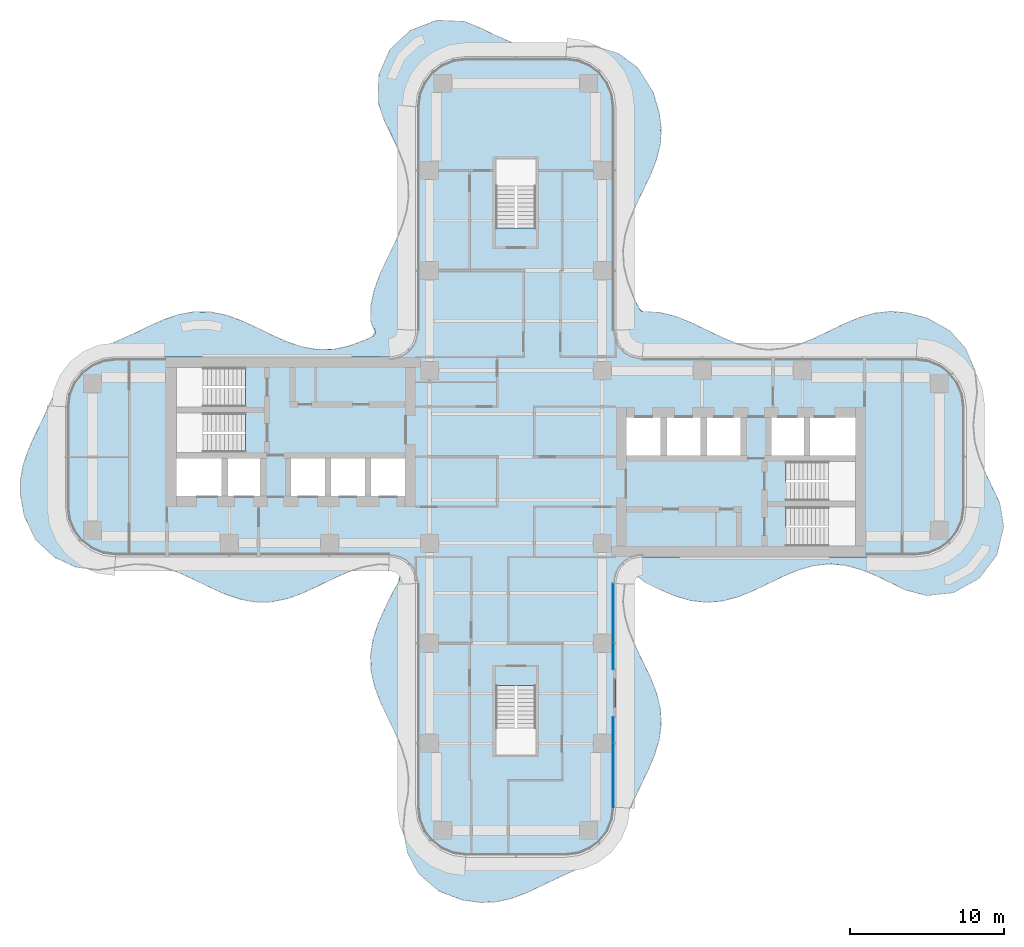
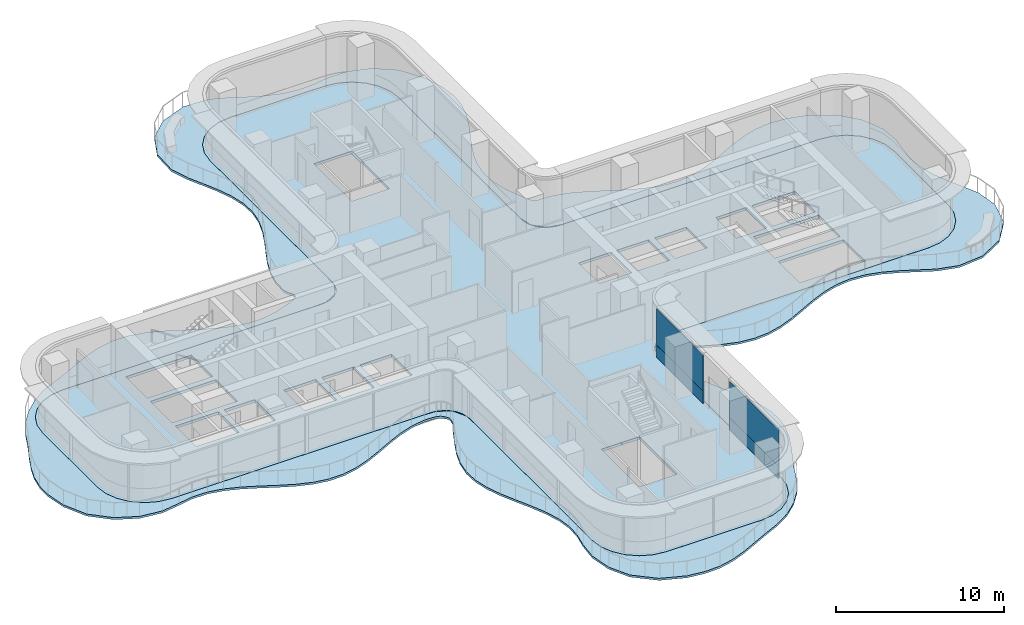
# One storey, part 10 of 17: 4 plates, 2 slabs, 2 elements without a shape of their own.
"""IFC4 building model written with IfcOpenShell, lengths in metres."""

from ifc_helpers import new_model, si_unit, direction, frame, origin, place, context, subcontext, project, spatial, polyline, outline, extrude, source, transform, mapped, material, layer, layer_set, type_object, element, aggregate, save


model = new_model("IFC4")

# Units and contexts
model_context = context("Model", 3, precision=1e-05, world=origin(), true_north=direction((0.0, 1.0)))
body_context = subcontext(model_context, "Body", "Model", "MODEL_VIEW")
ifc_project = project(units=[si_unit("LENGTHUNIT", "METRE"), si_unit("AREAUNIT", "SQUARE_METRE"), si_unit("VOLUMEUNIT", "CUBIC_METRE"), si_unit("PLANEANGLEUNIT", "RADIAN"), si_unit("MASSUNIT", "GRAM", prefix="KILO")], contexts=[model_context])

# Site, building, storey
site_placement = place(None, origin())
site = spatial("IfcSite", under=ifc_project, at=site_placement, CompositionType="ELEMENT")
building_placement = place(site_placement, origin())
building = spatial("IfcBuilding", under=site, at=building_placement, Name="Trellis Farm Tower", CompositionType="ELEMENT")
storey_placement = place(building_placement, frame((0.0, 0.0, 165.89990234375)))
storey = spatial("IfcBuildingStorey", under=building, at=storey_placement, Name="L35", CompositionType="ELEMENT", Elevation=165.89990234375)

# Slabs
ifc_material_1 = material(Name="Concrete C40/50", Category="concrete")
ifc_layer_1 = layer(ifc_material_1, 0.14990234375)
ifc_layer_set_1 = layer_set([ifc_layer_1], Name="Balcony slab 150")
slab_type_1 = type_object("IfcSlabType", Name="Balcony slab 150", PredefinedType="FLOOR", material=ifc_layer_set_1)
slab_1_placement = place(storey_placement, frame((0.0, 0.0, -0.14990234375)))
element("IfcSlab", 1, at=slab_1_placement, inside=storey, type_object=slab_type_1, Name="Balcony slab", PredefinedType="FLOOR", context=body_context, shape_type="SweptSolid", body=[
    extrude(outline(polyline([(-16.885009765625, -9.42822265625), (-17.829833984375, -9.264892578125), (-17.851806640625, -9.25927734375), (-18.85400390625, -8.923583984375), (-18.867919921875, -8.918212890625), (-19.847412109375, -8.479736328125), (-19.85205078125, -8.4775390625), (-20.85498046875, -7.986083984375), (-20.85693359375, -7.985107421875), (-21.862548828125, -7.526611328125), (-21.86865234375, -7.524169921875), (-22.82080078125, -7.186279296875), (-22.8310546875, -7.18359375), (-23.810302734375, -6.98681640625), (-23.824462890625, -6.9853515625), (-24.873291015625, -6.9755859375), (-24.886962890625, -6.9765625), (-25.8681640625, -7.149169921875), (-25.87109375, -7.149658203125), (-27.0986328125, -7.340576171875), (-27.140380859375, -7.341064453125), (-28.545654296875, -7.163330078125), (-28.590087890625, -7.150390625), (-29.965576171875, -6.5078125), (-30.00439453125, -6.4814453125), (-31.1572265625, -5.403564453125), (-31.17578125, -5.38232421875), (-31.19677734375, -5.353759765625), (-31.210693359375, -5.330078125), (-31.914306640625, -3.859619140625), (-31.926513671875, -3.822265625), (-32.17236328125, -2.495849609375), (-32.1748046875, -2.468505859375), (-32.173583984375, -1.49658203125), (-32.171142578125, -1.468994140625), (-31.994384765625, -0.5234375), (-31.98876953125, -0.501953125), (-31.642333984375, 0.500244140625), (-31.63720703125, 0.51318359375), (-31.190185546875, 1.4990234375), (-31.188232421875, 1.503173828125), (-30.697998046875, 2.503173828125), (-30.69677734375, 2.506103515625), (-30.2080078125, 3.61474609375), (-30.201416015625, 3.6279296875), (-29.606201171875, 4.683837890625), (-29.591064453125, 4.705810546875), (-28.8525390625, 5.597412109375), (-28.837890625, 5.612548828125), (-28.005615234375, 6.370361328125), (-27.988037109375, 6.384033203125), (-27.037353515625, 7.02099609375), (-27.013916015625, 7.03369140625), (-24.856201171875, 7.974853515625), (-24.853271484375, 7.976318359375), (-23.848876953125, 8.46826171875), (-23.84423828125, 8.470458984375), (-22.8486328125, 8.916748046875), (-22.83544921875, 8.921875), (-21.874267578125, 9.24755859375), (-21.852294921875, 9.253173828125), (-20.8818359375, 9.426513671875), (-20.853515625, 9.4287109375), (-19.8505859375, 9.415771484375), (-19.822998046875, 9.412841796875), (-18.85205078125, 9.21630859375), (-18.831298828125, 9.210693359375), (-17.867431640625, 8.8662109375), (-17.85546875, 8.861572265625), (-16.85888671875, 8.40478515625), (-16.855224609375, 8.403076171875), (-15.851318359375, 7.911376953125), (-15.848876953125, 7.91015625), (-14.843994140625, 7.463623046875), (-14.8369140625, 7.4609375), (-13.83642578125, 7.1318359375), (-13.8251953125, 7.12890625), (-12.832275390625, 6.966796875), (-12.818115234375, 6.966064453125), (-11.834228515625, 6.991943359375), (-11.821044921875, 6.993408203125), (-10.889892578125, 7.1865234375), (-10.879638671875, 7.189208984375), (-9.850341796875, 7.559814453125), (-9.844482421875, 7.562255859375), (-9.335693359375, 7.796875), (-9.318115234375, 7.808349609375), (-9.19482421875, 7.915283203125), (-9.172607421875, 7.94970703125), (-9.12890625, 8.095947265625), (-9.128662109375, 8.13671875), (-9.171630859375, 8.289794921875), (-9.18505859375, 8.31591796875), (-9.266357421875, 8.418701171875), (-9.289306640625, 8.459716796875), (-9.4208984375, 8.81396484375), (-9.42822265625, 8.841552734375), (-9.434326171875, 8.878173828125), (-9.436279296875, 8.9072265625), (-9.406982421875, 9.8603515625), (-9.403564453125, 9.886962890625), (-9.20068359375, 10.8349609375), (-9.195068359375, 10.85498046875), (-8.828125, 11.857177734375), (-8.823486328125, 11.86865234375), (-8.366943359375, 12.8525390625), (-8.365478515625, 12.85546875), (-7.874267578125, 13.860107421875), (-7.873046875, 13.86279296875), (-7.43310546875, 14.867431640625), (-7.430419921875, 14.874755859375), (-7.11279296875, 15.874755859375), (-7.110107421875, 15.886474609375), (-6.9619140625, 16.878662109375), (-6.961181640625, 16.892578125), (-7.001708984375, 17.8759765625), (-7.00341796875, 17.88916015625), (-7.222900390625, 18.868408203125), (-7.225830078125, 18.87841796875), (-7.59228515625, 19.85986328125), (-7.594482421875, 19.865234375), (-8.054443359375, 20.851318359375), (-8.054931640625, 20.8525390625), (-8.532958984375, 21.829833984375), (-8.5400390625, 21.84716796875), (-8.941162109375, 23.018310546875), (-8.947509765625, 23.044677734375), (-8.95263671875, 23.079345703125), (-8.954345703125, 23.106201171875), (-8.900634765625, 24.782470703125), (-8.89697265625, 24.8115234375), (-8.888427734375, 24.848388671875), (-8.87890625, 24.876220703125), (-8.176513671875, 26.4375), (-8.161865234375, 26.463134765625), (-8.139404296875, 26.494384765625), (-8.1201171875, 26.5166015625), (-6.911865234375, 27.650634765625), (-6.888671875, 27.66845703125), (-6.8564453125, 27.6884765625), (-6.830322265625, 27.701416015625), (-5.13330078125, 28.345703125), (-5.103759765625, 28.353759765625), (-5.0654296875, 28.35986328125), (-5.0341796875, 28.361572265625), (-3.393798828125, 28.28125), (-3.344970703125, 28.2705078125), (-2.2587890625, 27.83203125), (-2.2490234375, 27.827880859375), (-1.2578125, 27.34423828125), (-1.254638671875, 27.3427734375), (-0.270751953125, 26.91650390625), (-0.26318359375, 26.913818359375), (0.771484375, 26.594482421875), (0.783447265625, 26.592041015625), (1.77490234375, 26.458251953125), (1.788818359375, 26.457763671875), (2.760986328125, 26.508056640625), (2.76806640625, 26.5087890625), (3.841064453125, 26.66650390625), (3.86474609375, 26.66796875), (5.164794921875, 26.650634765625), (5.20654296875, 26.644287109375), (6.6083984375, 26.217529296875), (6.65380859375, 26.194580078125), (7.9091796875, 25.268310546875), (7.93017578125, 25.249755859375), (7.95458984375, 25.22314453125), (7.97216796875, 25.200439453125), (8.896484375, 23.715576171875), (8.912841796875, 23.679443359375), (9.3046875, 22.37255859375), (9.3095703125, 22.34912109375), (9.443115234375, 21.34619140625), (9.444091796875, 21.3173828125), (9.3857421875, 20.347412109375), (9.381591796875, 20.3212890625), (9.146484375, 19.34912109375), (9.140625, 19.330078125), (8.76171875, 18.350830078125), (8.757080078125, 18.340087890625), (7.808349609375, 16.3623046875), (7.806884765625, 16.359130859375), (7.3876953125, 15.37548828125), (7.385009765625, 15.36767578125), (7.089599609375, 14.387939453125), (7.0869140625, 14.3759765625), (6.957763671875, 13.3955078125), (6.957275390625, 13.38134765625), (7.01513671875, 12.393798828125), (7.01708984375, 12.380615234375), (7.257568359375, 11.384033203125), (7.260498046875, 11.37451171875), (7.658935546875, 10.34912109375), (7.6611328125, 10.343994140625), (8.0, 9.6298828125), (8.0087890625, 9.615966796875), (8.087646484375, 9.514892578125), (8.11279296875, 9.494384765625), (8.219970703125, 9.4404296875), (8.251220703125, 9.4326171875), (8.37939453125, 9.429443359375), (8.39599609375, 9.430908203125), (8.44384765625, 9.440185546875), (8.48486328125, 9.442626953125), (9.36328125, 9.37353515625), (9.38818359375, 9.369384765625), (10.340087890625, 9.12841796875), (10.3583984375, 9.122314453125), (11.35986328125, 8.727783203125), (11.369873046875, 8.723388671875), (13.347412109375, 7.773193359375), (13.35107421875, 7.771484375), (14.334228515625, 7.35986328125), (14.342529296875, 7.35693359375), (15.37939453125, 7.0615234375), (15.391845703125, 7.05908203125), (16.3818359375, 6.9541015625), (16.39599609375, 6.9541015625), (17.377685546875, 7.03759765625), (17.390380859375, 7.039794921875), (18.369873046875, 7.296630859375), (18.378662109375, 7.299560546875), (19.361083984375, 7.693115234375), (19.365478515625, 7.695068359375), (21.343017578125, 8.645751953125), (21.3505859375, 8.649169921875), (22.332763671875, 9.05615234375), (22.349365234375, 9.06201171875), (23.3232421875, 9.337158203125), (23.347900390625, 9.342041015625), (24.317626953125, 9.446533203125), (24.3466796875, 9.44677734375), (25.34912109375, 9.360595703125), (25.373291015625, 9.3564453125), (26.68408203125, 9.0234375), (26.72021484375, 9.009033203125), (28.13818359375, 8.21533203125), (28.17724609375, 8.183837890625), (29.205810546875, 7.02294921875), (29.231689453125, 6.982177734375), (29.819091796875, 5.599853515625), (29.830322265625, 5.5546875), (29.952880859375, 4.203369140625), (29.9521484375, 4.170166015625), (29.79736328125, 2.997802734375), (29.797119140625, 2.995361328125), (29.7041015625, 2.038818359375), (29.703857421875, 2.024658203125), (29.801513671875, 0.976806640625), (29.803955078125, 0.9638671875), (30.072998046875, -0.015380859375), (30.075927734375, -0.02392578125), (30.468994140625, -0.9873046875), (30.470703125, -0.9912109375), (31.415283203125, -2.97900390625), (31.427978515625, -3.018798828125), (31.674072265625, -4.49853515625), (31.676025390625, -4.529296875), (31.674560546875, -4.567626953125), (31.67041015625, -4.597412109375), (31.2421875, -6.34521484375), (31.231689453125, -6.374755859375), (31.2138671875, -6.411376953125), (31.197265625, -6.438232421875), (30.06689453125, -7.889404296875), (30.045654296875, -7.91162109375), (30.015625, -7.93701171875), (29.990478515625, -7.954345703125), (28.435302734375, -8.80615234375), (28.40771484375, -8.81787109375), (28.37060546875, -8.829345703125), (28.34130859375, -8.835205078125), (26.723876953125, -8.99853515625), (26.697265625, -8.998779296875), (26.6630859375, -8.996337890625), (26.63671875, -8.991943359375), (25.346435546875, -8.65478515625), (25.3193359375, -8.644775390625), (23.3623046875, -7.70361328125), (23.357421875, -7.70166015625), (22.333740234375, -7.29248046875), (22.32470703125, -7.28955078125), (21.327392578125, -7.03271484375), (21.314453125, -7.03076171875), (20.32568359375, -6.95458984375), (20.3115234375, -6.954833984375), (19.330810546875, -7.066650390625), (19.318603515625, -7.069091796875), (18.339111328125, -7.35009765625), (18.330810546875, -7.352783203125), (17.34765625, -7.7626953125), (17.343994140625, -7.764404296875), (15.3662109375, -8.71484375), (15.356689453125, -8.718994140625), (14.35498046875, -9.115966796875), (14.337158203125, -9.121826171875), (13.38525390625, -9.365966796875), (13.35986328125, -9.3701171875), (12.389892578125, -9.446533203125), (12.361083984375, -9.446044921875), (11.38671875, -9.3359375), (11.362060546875, -9.3310546875), (10.37841796875, -9.048095703125), (10.362060546875, -9.042236328125), (9.37109375, -8.627197265625), (9.362060546875, -8.623046875), (8.4228515625, -8.1533203125), (8.39697265625, -8.13671875), (8.0068359375, -7.828369140625), (7.986328125, -7.81689453125), (7.799560546875, -7.748046875), (7.77587890625, -7.743408203125), (7.611328125, -7.739013671875), (7.591552734375, -7.740966796875), (7.441650390625, -7.777587890625), (7.40771484375, -7.79638671875), (7.297119140625, -7.904052734375), (7.284912109375, -7.919677734375), (7.066650390625, -8.29052734375), (7.059814453125, -8.306396484375), (7.017578125, -8.44287109375), (7.014404296875, -8.460205078125), (6.95654296875, -9.385009765625), (6.95703125, -9.39892578125), (7.082763671875, -10.37939453125), (7.085205078125, -10.391357421875), (7.3779296875, -11.37109375), (7.380615234375, -11.37890625), (7.798095703125, -12.362548828125), (7.799560546875, -12.36572265625), (8.748779296875, -14.343505859375), (8.75341796875, -14.35400390625), (9.13427734375, -15.33349609375), (9.140380859375, -15.3525390625), (9.38330078125, -16.35498046875), (9.38720703125, -16.3818359375), (9.44384765625, -17.354248046875), (9.442626953125, -17.3828125), (9.313720703125, -18.352783203125), (9.30859375, -18.37646484375), (9.012939453125, -19.351318359375), (9.00732421875, -19.36669921875), (8.586669921875, -20.350341796875), (8.583984375, -20.356201171875), (7.6328125, -22.340087890625), (7.63134765625, -22.343017578125), (7.157470703125, -23.45556640625), (7.149658203125, -23.470947265625), (6.568115234375, -24.492431640625), (6.5537109375, -24.513427734375), (5.81982421875, -25.406982421875), (5.802490234375, -25.4248046875), (4.936279296875, -26.177734375), (4.9150390625, -26.193115234375), (3.876220703125, -26.81787109375), (3.861083984375, -26.825927734375), (2.753173828125, -27.32861328125), (2.751708984375, -27.3291015625), (0.760986328125, -28.281982421875), (0.74951171875, -28.287109375), (-0.229248046875, -28.65869140625), (-0.24853515625, -28.664794921875), (-1.22021484375, -28.890380859375), (-1.247314453125, -28.89404296875), (-2.249755859375, -28.94091796875), (-2.2763671875, -28.939697265625), (-3.4306640625, -28.787841796875), (-3.46435546875, -28.779296875), (-4.9833984375, -28.202392578125), (-5.007568359375, -28.190673828125), (-5.03759765625, -28.172607421875), (-5.05908203125, -28.156494140625), (-6.324462890625, -27.04150390625), (-6.34375, -27.02099609375), (-6.3662109375, -26.9921875), (-6.381103515625, -26.96875), (-7.039306640625, -25.685791015625), (-7.0537109375, -25.643798828125), (-7.310302734375, -24.21337890625), (-7.312255859375, -24.174560546875), (-7.20751953125, -22.926513671875), (-7.205322265625, -22.910888671875), (-6.997802734375, -21.826904296875), (-6.996337890625, -21.815185546875), (-6.9638671875, -20.822998046875), (-6.964599609375, -20.809326171875), (-7.10546875, -19.883056640625), (-7.10791015625, -19.87158203125), (-7.435791015625, -18.837890625), (-7.438720703125, -18.830322265625), (-7.869873046875, -17.84619140625), (-7.871337890625, -17.843505859375), (-8.354736328125, -16.855224609375), (-8.35595703125, -16.8525390625), (-8.815185546875, -15.864990234375), (-8.820068359375, -15.85400390625), (-9.182373046875, -14.875244140625), (-9.188232421875, -14.855224609375), (-9.401123046875, -13.8837890625), (-9.404541015625, -13.856689453125), (-9.43798828125, -12.88671875), (-9.436279296875, -12.85791015625), (-9.27783203125, -11.855224609375), (-9.272216796875, -11.83203125), (-8.9541015625, -10.8564453125), (-8.94873046875, -10.84228515625), (-8.513916015625, -9.857666015625), (-8.511474609375, -9.852294921875), (-8.02880859375, -8.866455078125), (-8.025146484375, -8.859619140625), (-7.617431640625, -8.12548828125), (-7.612060546875, -8.114013671875), (-7.576904296875, -8.0126953125), (-7.57373046875, -8.000244140625), (-7.520263671875, -7.675048828125), (-7.51953125, -7.6572265625), (-7.52978515625, -7.52001953125), (-7.540283203125, -7.487060546875), (-7.612060546875, -7.36962890625), (-7.623046875, -7.355712890625), (-7.85546875, -7.123046875), (-7.87744140625, -7.10791015625), (-8.078125, -7.017333984375), (-8.10498046875, -7.010986328125), (-8.892578125, -6.970703125), (-8.9091796875, -6.9716796875), (-9.881103515625, -7.13720703125), (-9.89208984375, -7.139892578125), (-10.872314453125, -7.4658203125), (-10.879150390625, -7.468505859375), (-11.851806640625, -7.90087890625), (-11.8544921875, -7.902099609375), (-12.854736328125, -8.391845703125), (-12.858154296875, -8.3935546875), (-13.8447265625, -8.84765625), (-13.856689453125, -8.8525390625), (-14.83447265625, -9.205078125), (-14.855712890625, -9.210693359375), (-15.8583984375, -9.414306640625), (-15.885986328125, -9.4169921875), (-16.857421875, -9.430419921875), (-16.885009765625, -9.42822265625)]), holes=[polyline([(-6.5673828125, 7.81396484375), (-6.961181640625, 7.0625), (-6.988037109375, 7.02587890625), (-7.02783203125, 6.986083984375), (-7.064453125, 6.959228515625), (-7.816650390625, 6.56640625), (-7.847412109375, 6.5546875), (-7.88818359375, 6.543701171875), (-7.9208984375, 6.538818359375), (-8.8505859375, 6.50048828125), (-26.0, 6.50048828125), (-26.84130859375, 6.389892578125), (-27.625244140625, 6.065185546875), (-28.298583984375, 5.548583984375), (-28.815185546875, 4.875244140625), (-29.139892578125, 4.09130859375), (-29.25048828125, 3.25), (-29.25048828125, -3.25), (-29.139892578125, -4.09130859375), (-28.815185546875, -4.875244140625), (-28.298583984375, -5.548583984375), (-27.625244140625, -6.065185546875), (-26.84130859375, -6.389892578125), (-26.0, -6.50048828125), (-8.84716796875, -6.50048828125), (-7.9208984375, -6.538818359375), (-7.88818359375, -6.543701171875), (-7.847412109375, -6.5546875), (-7.816650390625, -6.56640625), (-7.064453125, -6.959228515625), (-7.02783203125, -6.986083984375), (-6.988037109375, -7.02587890625), (-6.961181640625, -7.0625), (-6.5673828125, -7.81396484375), (-6.555419921875, -7.8447265625), (-6.544189453125, -7.8857421875), (-6.539306640625, -7.918212890625), (-6.50048828125, -8.844482421875), (-6.50048828125, -22.75), (-6.389892578125, -23.59130859375), (-6.065185546875, -24.375244140625), (-5.548583984375, -25.048583984375), (-4.875244140625, -25.565185546875), (-4.09130859375, -25.889892578125), (-3.25, -26.00048828125), (3.25, -26.00048828125), (4.09130859375, -25.889892578125), (4.875244140625, -25.565185546875), (5.548583984375, -25.048583984375), (6.065185546875, -24.375244140625), (6.389892578125, -23.59130859375), (6.50048828125, -22.75), (6.50048828125, -8.386962890625), (6.503173828125, -8.362548828125), (6.68798828125, -7.46533203125), (6.702880859375, -7.424072265625), (6.728515625, -7.376953125), (6.75439453125, -7.34228515625), (7.344482421875, -6.753173828125), (7.379150390625, -6.727294921875), (7.426513671875, -6.70166015625), (7.4677734375, -6.686767578125), (8.365234375, -6.5029296875), (8.389404296875, -6.50048828125), (26.0, -6.50048828125), (26.84130859375, -6.389892578125), (27.625244140625, -6.065185546875), (28.298583984375, -5.548583984375), (28.815185546875, -4.875244140625), (29.139892578125, -4.09130859375), (29.25048828125, -3.25), (29.25048828125, 3.25), (29.139892578125, 4.09130859375), (28.815185546875, 4.875244140625), (28.298583984375, 5.548583984375), (27.625244140625, 6.065185546875), (26.84130859375, 6.389892578125), (26.0, 6.50048828125), (8.389404296875, 6.50048828125), (8.365234375, 6.5029296875), (7.4677734375, 6.686767578125), (7.426513671875, 6.70166015625), (7.379150390625, 6.727294921875), (7.344482421875, 6.753173828125), (6.75439453125, 7.34228515625), (6.728515625, 7.376953125), (6.702880859375, 7.424072265625), (6.68798828125, 7.46533203125), (6.503173828125, 8.362548828125), (6.50048828125, 8.386962890625), (6.50048828125, 22.75), (6.389892578125, 23.59130859375), (6.065185546875, 24.375244140625), (5.548583984375, 25.048583984375), (4.875244140625, 25.565185546875), (4.09130859375, 25.889892578125), (3.25, 26.00048828125), (-3.25, 26.00048828125), (-4.09130859375, 25.889892578125), (-4.875244140625, 25.565185546875), (-5.548583984375, 25.048583984375), (-6.065185546875, 24.375244140625), (-6.389892578125, 23.59130859375), (-6.50048828125, 22.75), (-6.50048828125, 8.84814453125), (-6.539306640625, 7.918212890625), (-6.54443359375, 7.885498046875), (-6.555419921875, 7.8447265625), (-6.5673828125, 7.81396484375)])]), origin(), (0.0, 0.0, 1.0), 0.14990234375),
])
ifc_layer_2 = layer(ifc_material_1, 0.199951171875)
ifc_layer_set_2 = layer_set([ifc_layer_2], Name="Composite deck floor slab 200")
slab_type_2 = type_object("IfcSlabType", Name="Composite deck floor slab 200", PredefinedType="FLOOR", material=ifc_layer_set_2)
shared_shape_1 = source(origin(), body_context, "Body", "SweptSolid", [
    extrude(outline(polyline([(-26.84130859375, -6.389404296875), (-27.625, -6.064697265625), (-28.298095703125, -5.548095703125), (-28.814697265625, -4.875), (-29.139404296875, -4.09130859375), (-29.25, -3.25), (-29.25, 3.25), (-29.139404296875, 4.09130859375), (-28.814697265625, 4.875), (-28.298095703125, 5.548095703125), (-27.625, 6.064697265625), (-26.84130859375, 6.389404296875), (-26.0, 6.5), (-8.2314453125, 6.5), (-8.01953125, 6.513916015625), (-7.91552734375, 6.527587890625), (-7.508544921875, 6.63671875), (-7.144287109375, 6.846923828125), (-6.846923828125, 7.144287109375), (-6.63671875, 7.508544921875), (-6.527587890625, 7.91552734375), (-6.513916015625, 8.01953125), (-6.5, 8.2314453125), (-6.5, 22.75), (-6.389404296875, 23.59130859375), (-6.064697265625, 24.375), (-5.548095703125, 25.048095703125), (-4.875, 25.564697265625), (-4.09130859375, 25.889404296875), (-3.25, 26.0), (3.25, 26.0), (4.09130859375, 25.889404296875), (4.875, 25.564697265625), (5.548095703125, 25.048095703125), (6.064697265625, 24.375), (6.389404296875, 23.59130859375), (6.5, 22.75), (6.5, 8.2314453125), (6.513916015625, 8.01953125), (6.527587890625, 7.91552734375), (6.63671875, 7.508544921875), (6.846923828125, 7.144287109375), (7.144287109375, 6.846923828125), (7.508544921875, 6.63671875), (7.91552734375, 6.527587890625), (8.01953125, 6.513916015625), (8.2314453125, 6.5), (26.0, 6.5), (26.84130859375, 6.389404296875), (27.625, 6.064697265625), (28.298095703125, 5.548095703125), (28.814697265625, 4.875), (29.139404296875, 4.09130859375), (29.25, 3.25), (29.25, -3.25), (29.139404296875, -4.09130859375), (28.814697265625, -4.875), (28.298095703125, -5.548095703125), (27.625, -6.064697265625), (26.84130859375, -6.389404296875), (26.0, -6.5), (8.2314453125, -6.5), (8.01953125, -6.513916015625), (7.91552734375, -6.527587890625), (7.508544921875, -6.63671875), (7.144287109375, -6.846923828125), (6.846923828125, -7.144287109375), (6.63671875, -7.508544921875), (6.527587890625, -7.91552734375), (6.513916015625, -8.01953125), (6.5, -8.2314453125), (6.5, -22.75), (6.389404296875, -23.59130859375), (6.064697265625, -24.375), (5.548095703125, -25.048095703125), (4.875, -25.564697265625), (4.09130859375, -25.889404296875), (3.25, -26.0), (-3.25, -26.0), (-4.09130859375, -25.889404296875), (-4.875, -25.564697265625), (-5.548095703125, -25.048095703125), (-6.064697265625, -24.375), (-6.389404296875, -23.59130859375), (-6.5, -22.75), (-6.5, -8.2314453125), (-6.513916015625, -8.01953125), (-6.527587890625, -7.91552734375), (-6.63671875, -7.508544921875), (-6.846923828125, -7.144287109375), (-7.144287109375, -6.846923828125), (-7.508544921875, -6.63671875), (-7.91552734375, -6.527587890625), (-8.01953125, -6.513916015625), (-8.2314453125, -6.5), (-26.0, -6.5), (-26.84130859375, -6.389404296875)]), holes=[polyline([(-22.050048828125, -0.10009765625), (-22.050048828125, -2.550048828125), (-19.10009765625, -2.550048828125), (-19.10009765625, -0.10009765625), (-22.050048828125, -0.10009765625)]), polyline([(-18.699951171875, -0.10009765625), (-18.699951171875, -2.550048828125), (-16.60009765625, -2.550048828125), (-16.60009765625, -0.10009765625), (-18.699951171875, -0.10009765625)]), polyline([(-14.60009765625, -0.10009765625), (-14.60009765625, -2.550048828125), (-12.39990234375, -2.550048828125), (-12.39990234375, -0.10009765625), (-14.60009765625, -0.10009765625)]), polyline([(-12.0, -0.10009765625), (-12.0, -2.550048828125), (-9.800048828125, -2.550048828125), (-9.800048828125, -0.10009765625), (-12.0, -0.10009765625)]), polyline([(-9.39990234375, -0.10009765625), (-9.39990234375, -2.550048828125), (-7.199951171875, -2.550048828125), (-7.199951171875, -0.10009765625), (-9.39990234375, -0.10009765625)]), polyline([(-17.56201171875, 1.64990234375), (-17.56201171875, 2.85009765625), (-22.050048828125, 2.85009765625), (-22.050048828125, 0.300048828125), (-17.56005859375, 0.300048828125), (-17.56005859375, 1.5), (-17.550048828125, 1.5), (-17.550048828125, 1.64990234375), (-17.56201171875, 1.64990234375)]), polyline([(-17.56201171875, 4.60009765625), (-17.56201171875, 5.800048828125), (-22.050048828125, 5.800048828125), (-22.050048828125, 3.25), (-17.56005859375, 3.25), (-17.56005859375, 4.449951171875), (-17.550048828125, 4.449951171875), (-17.550048828125, 4.60009765625), (-17.56201171875, 4.60009765625)]), polyline([(0.10009765625, 14.862060546875), (1.300048828125, 14.862060546875), (1.300048828125, 19.35009765625), (-1.300048828125, 19.35009765625), (-1.300048828125, 14.860107421875), (-0.10009765625, 14.860107421875), (-0.10009765625, 14.85009765625), (0.10009765625, 14.85009765625), (0.10009765625, 14.862060546875)]), polyline([(-0.10009765625, -14.862060546875), (-1.300048828125, -14.862060546875), (-1.300048828125, -19.35009765625), (1.300048828125, -19.35009765625), (1.300048828125, -14.860107421875), (0.10009765625, -14.860107421875), (0.10009765625, -14.85009765625), (-0.10009765625, -14.85009765625), (-0.10009765625, -14.862060546875)]), polyline([(17.56201171875, -4.60009765625), (17.56201171875, -5.800048828125), (22.050048828125, -5.800048828125), (22.050048828125, -3.25), (17.56005859375, -3.25), (17.56005859375, -4.449951171875), (17.550048828125, -4.449951171875), (17.550048828125, -4.60009765625), (17.56201171875, -4.60009765625)]), polyline([(17.56201171875, -1.64990234375), (17.56201171875, -2.85009765625), (22.050048828125, -2.85009765625), (22.050048828125, -0.300048828125), (17.56005859375, -0.300048828125), (17.56005859375, -1.5), (17.550048828125, -1.5), (17.550048828125, -1.64990234375), (17.56201171875, -1.64990234375)]), polyline([(9.39990234375, 0.10009765625), (9.39990234375, 2.550048828125), (7.199951171875, 2.550048828125), (7.199951171875, 0.10009765625), (9.39990234375, 0.10009765625)]), polyline([(12.0, 0.10009765625), (12.0, 2.550048828125), (9.800048828125, 2.550048828125), (9.800048828125, 0.10009765625), (12.0, 0.10009765625)]), polyline([(14.60009765625, 0.10009765625), (14.60009765625, 2.550048828125), (12.39990234375, 2.550048828125), (12.39990234375, 0.10009765625), (14.60009765625, 0.10009765625)]), polyline([(18.699951171875, 0.10009765625), (18.699951171875, 2.550048828125), (16.60009765625, 2.550048828125), (16.60009765625, 0.10009765625), (18.699951171875, 0.10009765625)]), polyline([(22.050048828125, 0.10009765625), (22.050048828125, 2.550048828125), (19.10009765625, 2.550048828125), (19.10009765625, 0.10009765625), (22.050048828125, 0.10009765625)])]), origin(), (0.0, 0.0, 1.0), 0.199951171875),
])
slab_2_placement = place(storey_placement, frame((0.0, 0.0, -0.199951171875)))
element("IfcSlab", 2, at=slab_2_placement, inside=storey, type_object=slab_type_2, Name="Floor slab", PredefinedType="FLOOR", context=body_context, shape_type="MappedRepresentation", body=[
    mapped(shared_shape_1, transform((0.0, 0.0, 0.0))),
])

# Curtain wall, plates
ifc_material_2 = material(Name="Aluminium and glass curtain wall", Category="aluminium")
ifc_layer_3 = layer(ifc_material_2, 0.18994140625)
ifc_layer_set_3 = layer_set([ifc_layer_3], Name="RIBBON CURTAIN WALL CW1")
curtain_wall_type = type_object("IfcCurtainWallType", Name="RIBBON CURTAIN WALL CW1", PredefinedType="NOTDEFINED", material=ifc_layer_set_3)
placement_1 = place(storey_placement, origin())
curtain_wall_1 = element("IfcCurtainWall", 3, at=placement_1, inside=storey, type_object=curtain_wall_type, Name="CW1 004", PredefinedType="NOTDEFINED")
ifc_material_3 = material(Name="Clear insulated glass", Category="glass")
ifc_layer_4 = layer(ifc_material_3, 0.0400390625)
ifc_layer_set_4 = layer_set([ifc_layer_4], Name="CW1 GLASS PANEL 40")
plate_type_1 = type_object("IfcPlateType", Name="CW1 GLASS PANEL 40", PredefinedType="CURTAIN_PANEL", material=ifc_layer_set_4)
shared_shape_2 = source(origin(), body_context, "Body", "SweptSolid", [
    extrude(outline(polyline([(6.35009765625, -22.740234375), (6.35009765625, -16.909912109375), (6.31005859375, -16.909912109375), (6.31005859375, -22.737548828125), (6.35009765625, -22.740234375)])), origin(), (0.0, 0.0, 1.0), 2.619873046875),
])
placement_2 = place(storey_placement, frame((0.0, 0.0, 0.900146484375)))
plate_1 = element("IfcPlate", 4, at=placement_2, type_object=plate_type_1, Name="PL1 004", PredefinedType="CURTAIN_PANEL", context=body_context, shape_type="MappedRepresentation", body=[
    mapped(shared_shape_2, transform((0.0, 0.0, 0.0))),
])
ifc_material_4 = material(Name="Sandstone faced insulated panel", Category="masonry")
ifc_layer_5 = layer(ifc_material_4, 0.050048828125)
ifc_layer_set_5 = layer_set([ifc_layer_5], Name="CW1 STONE SPANDREL PANEL 50")
plate_type_2 = type_object("IfcPlateType", Name="CW1 STONE SPANDREL PANEL 50", PredefinedType="CURTAIN_PANEL", material=ifc_layer_set_5)
shared_shape_3 = source(origin(), body_context, "Body", "SweptSolid", [
    extrude(outline(polyline([(6.35009765625, -22.740234375), (6.35009765625, -16.909912109375), (6.300048828125, -16.909912109375), (6.300048828125, -22.73681640625), (6.35009765625, -22.740234375)])), origin(), (0.0, 0.0, 1.0), 0.900146484375),
])
plate_2 = element("IfcPlate", 5, at=placement_1, type_object=plate_type_2, Name="PS1 004", PredefinedType="CURTAIN_PANEL", context=body_context, shape_type="MappedRepresentation", body=[
    mapped(shared_shape_3, transform((0.0, 0.0, 0.0))),
])
aggregate(curtain_wall_1, [plate_1, plate_2])

curtain_wall_2 = element("IfcCurtainWall", 6, at=placement_1, inside=storey, type_object=curtain_wall_type, Name="CW1 005", PredefinedType="NOTDEFINED")
shared_shape_4 = source(origin(), body_context, "Body", "SweptSolid", [
    extrude(outline(polyline([(6.35009765625, -13.7900390625), (6.35009765625, -8.2265625), (6.31005859375, -8.22509765625), (6.31005859375, -13.7900390625), (6.35009765625, -13.7900390625)])), origin(), (0.0, 0.0, 1.0), 2.619873046875),
])
plate_3 = element("IfcPlate", 7, at=placement_2, type_object=plate_type_1, Name="PL1 005", PredefinedType="CURTAIN_PANEL", context=body_context, shape_type="MappedRepresentation", body=[
    mapped(shared_shape_4, transform((0.0, 0.0, 0.0))),
])
shared_shape_5 = source(origin(), body_context, "Body", "SweptSolid", [
    extrude(outline(polyline([(6.35009765625, -13.7900390625), (6.35009765625, -8.2265625), (6.300048828125, -8.224853515625), (6.300048828125, -13.7900390625), (6.35009765625, -13.7900390625)])), origin(), (0.0, 0.0, 1.0), 0.900146484375),
])
plate_4 = element("IfcPlate", 8, at=placement_1, type_object=plate_type_2, Name="PS1 005", PredefinedType="CURTAIN_PANEL", context=body_context, shape_type="MappedRepresentation", body=[
    mapped(shared_shape_5, transform((0.0, 0.0, 0.0))),
])
aggregate(curtain_wall_2, [plate_3, plate_4])

save(model, "model.ifc")
